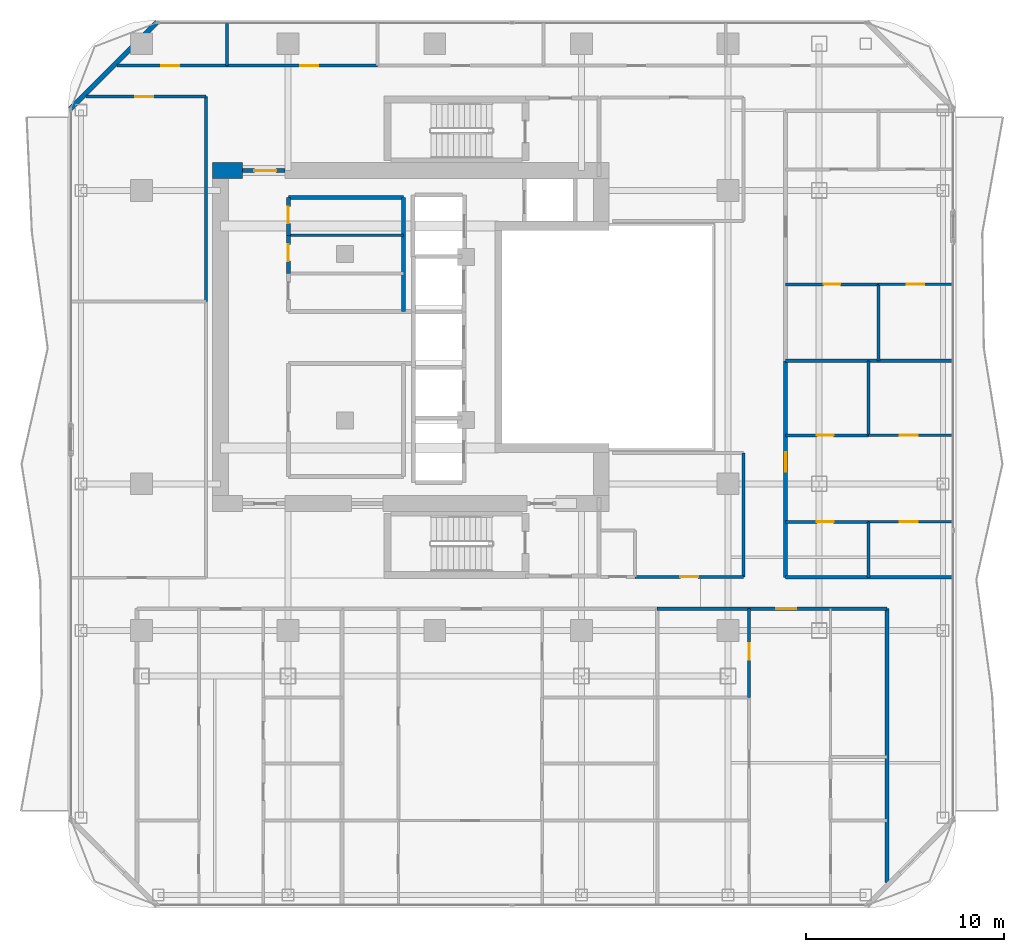
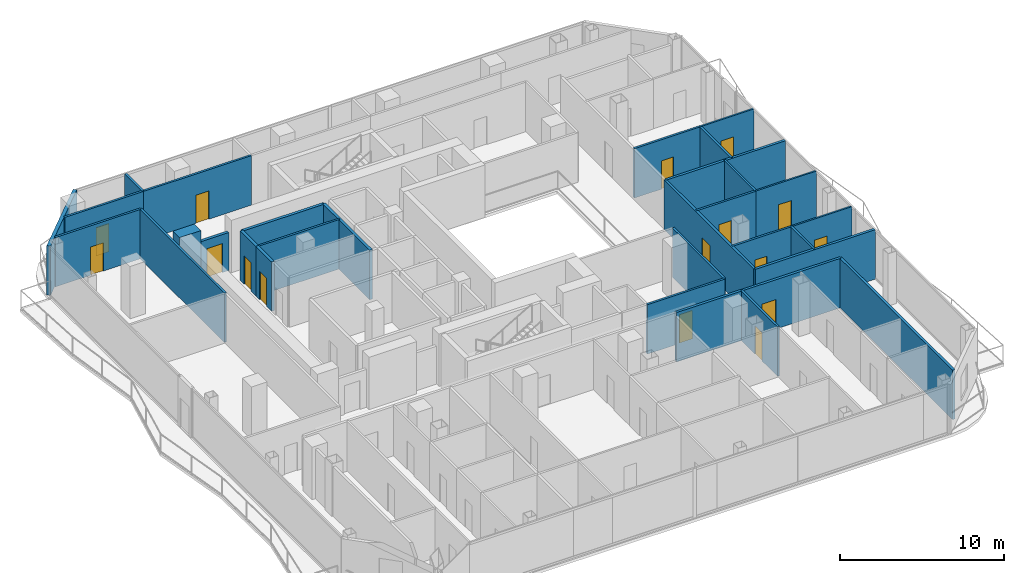
# One storey, part 22 of 27: 30 walls, 16 doors, 16 openings.
"""IFC4 building model written with IfcOpenShell, lengths in metres."""

from ifc_helpers import new_model, si_unit, direction, frame, frame_2d, origin, place, context, subcontext, project, spatial, rectangle, extrude, material, layer, layer_set, type_object, element, fill, save


model = new_model("IFC4")

# Units and contexts
model_context = context("Model", 3, precision=1e-05, world=origin(), true_north=direction((0.0, 1.0)))
body_context = subcontext(model_context, "Body", "Model", "MODEL_VIEW")
ifc_project = project(units=[si_unit("LENGTHUNIT", "METRE"), si_unit("AREAUNIT", "SQUARE_METRE"), si_unit("VOLUMEUNIT", "CUBIC_METRE"), si_unit("PLANEANGLEUNIT", "RADIAN"), si_unit("MASSUNIT", "GRAM", prefix="KILO")], contexts=[model_context])

# Site, building, storey
site_placement = place(None, origin())
site = spatial("IfcSite", under=ifc_project, at=site_placement, CompositionType="ELEMENT")
building_placement = place(site_placement, origin())
building = spatial("IfcBuilding", under=site, at=building_placement, Name="Khorvyn Point Tower", CompositionType="ELEMENT")
storey_placement = place(building_placement, frame((0.0, 0.0, 227.39990234375)))
storey = spatial("IfcBuildingStorey", under=building, at=storey_placement, Name="L56", CompositionType="ELEMENT", Elevation=227.39990234375)

# Wall, opening, door
ifc_material_1 = material(Name="Double acoustic gypsum on twin steel stud", Category="steel")
ifc_layer_1 = layer(ifc_material_1, 0.179931640625)
ifc_layer_set_1 = layer_set([ifc_layer_1], Name="Acoustic Double-Stud Apartment Demising Wall 180")
wall_type_1 = type_object("IfcWallType", Name="Acoustic Double-Stud Apartment Demising Wall 180", PredefinedType="PARTITIONING", material=ifc_layer_set_1)
wall_1_placement = place(storey_placement, frame((11.22802734375, -13.699951171875, 0.0), z_axis=(0.0, 0.0, 1.0), x_axis=(1.0, 0.0, 0.0)))
wall_1 = element("IfcWall", 1, at=wall_1_placement, inside=storey, type_object=wall_type_1, Name="Wall", PredefinedType="PARTITIONING", context=body_context, shape_type="SweptSolid", body=[
    extrude(rectangle(XDim=11.592041015625, YDim=0.179931640625, at=frame_2d((5.7958984375, 0.0))), origin(), (0.0, 0.0, 1.0), 3.68017578125),
])
opening_1_placement = place(wall_1_placement, frame((6.00439453125, 0.0, 0.0)))
opening_1 = element("IfcOpeningElement", 2, at=opening_1_placement, cuts=wall_1, Name="Opening ID-AP60", PredefinedType="OPENING", context=body_context, shape_type="SweptSolid", body=[
    extrude(rectangle(XDim=1.0, YDim=2.199951171875, at=frame_2d((0.5, 1.10009765625))), frame((0.0, 0.099853515625, 0.0), z_axis=(0.0, -1.0, 0.0), x_axis=(1.0, 0.0, 0.0)), (0.0, 0.0, 1.0), 0.199951171875),
])
ifc_material_2 = material(Name="Engineered hardwood fire-rated leaf", Category="wood")
door_type_1 = type_object("IfcDoorType", Name="Acoustic Solid-Core Timber Apartment Entrance Door 1000x2200", OperationType="NOTDEFINED", PredefinedType="DOOR", material=ifc_material_2)
door_1_placement = place(opening_1_placement, origin())
door_1 = element("IfcDoor", 3, at=door_1_placement, inside=storey, type_object=door_type_1, Name="Door", OperationType="SINGLE_SWING_RIGHT", OverallHeight=2.199951171875, OverallWidth=1.0, PredefinedType="DOOR", context=body_context, shape_type="SweptSolid", body=[
    extrude(rectangle(XDim=1.0, YDim=2.199951171875, at=frame_2d((0.5, 1.10009765625))), frame((0.0, 0.02490234375, 0.0), z_axis=(0.0, -1.0, 0.0), x_axis=(1.0, 0.0, 0.0)), (0.0, 0.0, 1.0), 0.050048828125),
])
fill(opening_1, door_1)

wall_2_placement = place(storey_placement, frame((17.699951171875, -12.1201171875, 0.0), z_axis=(0.0, 0.0, 1.0), x_axis=(0.0, 1.0, 0.0)))
wall_2 = element("IfcWall", 4, at=wall_2_placement, inside=storey, type_object=wall_type_1, Name="Wall", PredefinedType="PARTITIONING", context=body_context, shape_type="SweptSolid", body=[
    extrude(rectangle(XDim=10.927001953125, YDim=0.179931640625, at=frame_2d((5.46337890625, 0.0))), origin(), (0.0, 0.0, 1.0), 3.68017578125),
])
opening_2_placement = place(wall_2_placement, frame((5.3193359375, 0.0, 0.0)))
opening_2 = element("IfcOpeningElement", 5, at=opening_2_placement, cuts=wall_2, Name="Opening ID-AP60", PredefinedType="OPENING", context=body_context, shape_type="SweptSolid", body=[
    extrude(rectangle(XDim=1.0, YDim=2.199951171875, at=frame_2d((0.5, 1.10009765625))), frame((0.0, 0.099853515625, 0.0), z_axis=(0.0, -1.0, 0.0), x_axis=(1.0, 0.0, 0.0)), (0.0, 0.0, 1.0), 0.199951171875),
])
door_2_placement = place(opening_2_placement, origin())
door_2 = element("IfcDoor", 6, at=door_2_placement, inside=storey, type_object=door_type_1, Name="Door", OperationType="SINGLE_SWING_LEFT", OverallHeight=2.199951171875, OverallWidth=1.0, PredefinedType="DOOR", context=body_context, shape_type="SweptSolid", body=[
    extrude(rectangle(XDim=1.0, YDim=2.199951171875, at=frame_2d((0.5, 1.10009765625))), frame((0.0, 0.02490234375, 0.0), z_axis=(0.0, -1.0, 0.0), x_axis=(1.0, 0.0, 0.0)), (0.0, 0.0, 1.0), 0.050048828125),
])
fill(opening_2, door_2)

# Walls
wall_3_placement = place(storey_placement, frame((22.820068359375, -27.510009765625, 0.0), z_axis=(0.0, 0.0, 1.0), x_axis=(0.0, 1.0, 0.0)))
element("IfcWall", 7, at=wall_3_placement, inside=storey, type_object=wall_type_1, Name="Wall", PredefinedType="PARTITIONING", context=body_context, shape_type="SweptSolid", body=[
    extrude(rectangle(XDim=13.81005859375, YDim=0.179931640625, at=frame_2d((6.905029296875, 0.0))), origin(), (0.0, 0.0, 1.0), 3.68017578125),
])
for number, where, z_axis, x_axis, name in (
    (8, (17.699951171875, -1.193115234375, 0.0), (0.0, 0.0, 1.0), (1.0, 0.0, 0.0), "Wall"),
    (9, (17.699951171875, -12.1201171875, 0.0), (0.0, 0.0, 1.0), (1.0, 0.0, 0.0), "Wall"),
):
    element("IfcWall", number, at=place(storey_placement, frame(where, z_axis=z_axis, x_axis=x_axis)), inside=storey, type_object=wall_type_1, Name=name, PredefinedType="PARTITIONING", context=body_context, shape_type="SweptSolid", body=[
        extrude(rectangle(XDim=8.429931640625, YDim=0.179931640625, at=frame_2d((4.21484375, 0.0))), origin(), (0.0, 0.0, 1.0), 3.68017578125),
    ])
ifc_material_3 = material(Name="Pale anodised aluminium rainscreen on steel stud", Category="steel")
ifc_layer_2 = layer(ifc_material_3, 0.239990234375)
ifc_layer_set_2 = layer_set([ifc_layer_2], Name="Anodised Aluminium Insulated Corner Spandrel Wall 240")
wall_type_2 = type_object("IfcWallType", Name="Anodised Aluminium Insulated Corner Spandrel Wall 240", PredefinedType="SOLIDWALL", material=ifc_layer_set_2)
wall_4_placement = place(storey_placement, frame((-18.392333984375, 11.507568359375, 0.0), z_axis=(0.0, 0.0, 1.0), x_axis=(0.707106781187, 0.707106781187, 0.0)))
element("IfcWall", 10, at=wall_4_placement, inside=storey, type_object=wall_type_2, Name="L56 Rounded Corner Wall NW", PredefinedType="SOLIDWALL", context=body_context, shape_type="SweptSolid", body=[
    extrude(rectangle(XDim=6.200927734375, YDim=0.239990234375, at=frame_2d((3.1005859375, 0.0))), origin(), (0.0, 0.0, 1.0), 3.68017578125),
])

# Wall, opening, door
ifc_material_4 = material(Name="Concrete C40/50", Category="concrete")
ifc_layer_3 = layer(ifc_material_4, 0.199951171875)
ifc_layer_set_3 = layer_set([ifc_layer_3], Name="Concrete C40/50 Fire-Lobby Compartment Wall 200")
wall_type_3 = type_object("IfcWallType", Name="Concrete C40/50 Fire-Lobby Compartment Wall 200", PredefinedType="SOLIDWALL", material=ifc_layer_set_3)
wall_5_placement = place(storey_placement, frame((-9.699951171875, 8.39990234375, 0.0), z_axis=(0.0, 0.0, 1.0), x_axis=(1.0, 0.0, 0.0)))
wall_5 = element("IfcWall", 11, at=wall_5_placement, inside=storey, type_object=wall_type_3, Name="Wall", PredefinedType="SOLIDWALL", context=body_context, shape_type="SweptSolid", body=[
    extrude(rectangle(XDim=2.14990234375, YDim=0.199951171875, at=frame_2d((1.074951171875, 0.0))), origin(), (0.0, 0.0, 1.0), 2.820068359375),
])
opening_3_placement = place(wall_5_placement, frame((0.597900390625, 0.0, 0.0)))
opening_3 = element("IfcOpeningElement", 12, at=opening_3_placement, cuts=wall_5, Name="Opening ID-FL90", PredefinedType="OPENING", context=body_context, shape_type="SweptSolid", body=[
    extrude(rectangle(XDim=1.10009765625, YDim=2.14990234375, at=frame_2d((0.550048828125, 1.074951171875))), frame((0.0, 0.10986328125, 0.0), z_axis=(0.0, -1.0, 0.0), x_axis=(1.0, 0.0, 0.0)), (0.0, 0.0, 1.0), 0.219970703125),
])
ifc_material_5 = material(Name="Galvanised powder-coated steel", Category="steel")
door_type_2 = type_object("IfcDoorType", Name="Fire-Rated Steel Lobby and Stair Door 1100x2150", OperationType="NOTDEFINED", PredefinedType="DOOR", material=ifc_material_5)
door_3_placement = place(opening_3_placement, origin())
door_3 = element("IfcDoor", 13, at=door_3_placement, inside=storey, type_object=door_type_2, Name="Door", OperationType="SINGLE_SWING_RIGHT", OverallHeight=2.14990234375, OverallWidth=1.10009765625, PredefinedType="DOOR", context=body_context, shape_type="SweptSolid", body=[
    extrude(rectangle(XDim=1.10009765625, YDim=2.14990234375, at=frame_2d((0.550048828125, 1.074951171875))), frame((0.0, 0.02490234375, 0.0), z_axis=(0.0, -1.0, 0.0), x_axis=(1.0, 0.0, 0.0)), (0.0, 0.0, 1.0), 0.050048828125),
])
fill(opening_3, door_3)

wall_6_placement = place(storey_placement, frame((-7.3798828125, 3.219970703125, 0.0), z_axis=(0.0, 0.0, 1.0), x_axis=(0.0, 1.0, 0.0)))
wall_6 = element("IfcWall", 14, at=wall_6_placement, inside=storey, type_object=wall_type_3, Name="Wall", PredefinedType="SOLIDWALL", context=body_context, shape_type="SweptSolid", body=[
    extrude(rectangle(XDim=1.919921875, YDim=0.199951171875, at=frame_2d((0.9599609375, 0.0))), origin(), (0.0, 0.0, 1.0), 3.68017578125),
])
opening_4_placement = place(wall_6_placement, frame((0.610107421875, 0.0, 0.0)))
opening_4 = element("IfcOpeningElement", 15, at=opening_4_placement, cuts=wall_6, Name="Opening ID-WC85", PredefinedType="OPENING", context=body_context, shape_type="SweptSolid", body=[
    extrude(rectangle(XDim=0.85009765625, YDim=2.10009765625, at=frame_2d((0.425048828125, 1.050048828125))), frame((0.0, 0.10986328125, 0.0), z_axis=(0.0, -1.0, 0.0), x_axis=(1.0, 0.0, 0.0)), (0.0, 0.0, 1.0), 0.219970703125),
])
ifc_material_6 = material(Name="High-pressure laminate on moisture-resistant core", Category="wood")
door_type_3 = type_object("IfcDoorType", Name="Moisture-Resistant Accessible Washroom Door 850x2100", OperationType="NOTDEFINED", PredefinedType="DOOR", material=ifc_material_6)
door_4_placement = place(opening_4_placement, origin())
door_4 = element("IfcDoor", 16, at=door_4_placement, inside=storey, type_object=door_type_3, Name="Door", OperationType="SINGLE_SWING_LEFT", OverallHeight=2.10009765625, OverallWidth=0.85009765625, PredefinedType="DOOR", context=body_context, shape_type="SweptSolid", body=[
    extrude(rectangle(XDim=0.85009765625, YDim=2.10009765625, at=frame_2d((0.425048828125, 1.050048828125))), frame((0.0, 0.02490234375, 0.0), z_axis=(0.0, -1.0, 0.0), x_axis=(1.0, 0.0, 0.0)), (0.0, 0.0, 1.0), 0.050048828125),
])
fill(opening_4, door_4)

wall_7_placement = place(storey_placement, frame((-7.3798828125, 5.139892578125, 0.0), z_axis=(0.0, 0.0, 1.0), x_axis=(0.0, 1.0, 0.0)))
wall_7 = element("IfcWall", 17, at=wall_7_placement, inside=storey, type_object=wall_type_3, Name="Wall", PredefinedType="SOLIDWALL", context=body_context, shape_type="SweptSolid", body=[
    extrude(rectangle(XDim=1.900146484375, YDim=0.199951171875, at=frame_2d((0.9501953125, 0.0))), origin(), (0.0, 0.0, 1.0), 3.68017578125),
])
opening_5_placement = place(wall_7_placement, frame((0.597900390625, 0.0, 0.0)))
opening_5 = element("IfcOpeningElement", 18, at=opening_5_placement, cuts=wall_7, Name="Opening ID-WC85", PredefinedType="OPENING", context=body_context, shape_type="SweptSolid", body=[
    extrude(rectangle(XDim=0.85009765625, YDim=2.10009765625, at=frame_2d((0.425048828125, 1.050048828125))), frame((0.0, 0.10986328125, 0.0), z_axis=(0.0, -1.0, 0.0), x_axis=(1.0, 0.0, 0.0)), (0.0, 0.0, 1.0), 0.219970703125),
])
door_5_placement = place(opening_5_placement, origin())
door_5 = element("IfcDoor", 19, at=door_5_placement, inside=storey, type_object=door_type_3, Name="Door", OperationType="SINGLE_SWING_RIGHT", OverallHeight=2.10009765625, OverallWidth=0.85009765625, PredefinedType="DOOR", context=body_context, shape_type="SweptSolid", body=[
    extrude(rectangle(XDim=0.85009765625, YDim=2.10009765625, at=frame_2d((0.425048828125, 1.050048828125))), frame((0.0, 0.02490234375, 0.0), z_axis=(0.0, -1.0, 0.0), x_axis=(1.0, 0.0, 0.0)), (0.0, 0.0, 1.0), 0.050048828125),
])
fill(opening_5, door_5)

# Walls
wall_8_placement = place(storey_placement, frame((-1.580078125, 1.300048828125, 0.0), z_axis=(0.0, 0.0, 1.0), x_axis=(0.0, 1.0, 0.0)))
element("IfcWall", 20, at=wall_8_placement, inside=storey, type_object=wall_type_3, Name="Wall", PredefinedType="SOLIDWALL", context=body_context, shape_type="SweptSolid", body=[
    extrude(rectangle(XDim=5.739990234375, YDim=0.199951171875, at=frame_2d((2.8701171875, 0.0))), origin(), (0.0, 0.0, 1.0), 3.68017578125),
])
wall_9_placement = place(storey_placement, frame((-7.3798828125, 7.0400390625, 0.0), z_axis=(0.0, 0.0, 1.0), x_axis=(1.0, 0.0, 0.0)))
element("IfcWall", 21, at=wall_9_placement, inside=storey, type_object=wall_type_3, Name="Wall", PredefinedType="SOLIDWALL", context=body_context, shape_type="SweptSolid", body=[
    extrude(rectangle(XDim=5.7998046875, YDim=0.199951171875, at=frame_2d((2.89990234375, 0.0))), origin(), (0.0, 0.0, 1.0), 3.68017578125),
])
ifc_material_7 = material(Name="Concrete C45/55", Category="concrete")
ifc_layer_4 = layer(ifc_material_7, 0.800048828125)
ifc_layer_set_4 = layer_set([ifc_layer_4], Name="Concrete C45/55 Core Shear Wall 800")
wall_type_4 = type_object("IfcWallType", Name="Concrete C45/55 Core Shear Wall 800", PredefinedType="SHEAR", material=ifc_layer_set_4)
wall_10_placement = place(storey_placement, frame((-11.199951171875, 8.39990234375, 0.0), z_axis=(0.0, 0.0, 1.0), x_axis=(1.0, 0.0, 0.0)))
element("IfcWall", 22, at=wall_10_placement, inside=storey, type_object=wall_type_4, Name="Wall", PredefinedType="SHEAR", context=body_context, shape_type="SweptSolid", body=[
    extrude(rectangle(XDim=1.5, YDim=0.800048828125, at=frame_2d((0.75, 0.0))), origin(), (0.0, 0.0, 1.0), 3.900146484375),
])

# Wall, opening, door
ifc_material_8 = material(Name="Gypsum plasterboard on steel stud", Category="steel")
ifc_layer_5 = layer(ifc_material_8, 0.1201171875)
ifc_layer_set_5 = layer_set([ifc_layer_5], Name="Gypsum Acoustic Stud Room Partition Wall 120")
wall_type_5 = type_object("IfcWallType", Name="Gypsum Acoustic Stud Room Partition Wall 120", PredefinedType="PARTITIONING", material=ifc_layer_set_5)
wall_11_placement = place(storey_placement, frame((21.889892578125, -9.320068359375, 0.0), z_axis=(0.0, 0.0, 1.0), x_axis=(1.0, 0.0, 0.0)))
wall_11 = element("IfcWall", 23, at=wall_11_placement, inside=storey, type_object=wall_type_5, Name="Wall", PredefinedType="PARTITIONING", context=body_context, shape_type="SweptSolid", body=[
    extrude(rectangle(XDim=4.239990234375, YDim=0.1201171875, at=frame_2d((2.1201171875, 0.0))), origin(), (0.0, 0.0, 1.0), 3.68017578125),
])
opening_6_placement = place(wall_11_placement, frame((1.581298828125, 0.0, 0.0)))
opening_6 = element("IfcOpeningElement", 24, at=opening_6_placement, cuts=wall_11, Name="Opening ID-RM90", PredefinedType="OPENING", context=body_context, shape_type="SweptSolid", body=[
    extrude(rectangle(XDim=0.89990234375, YDim=2.10009765625, at=frame_2d((0.449951171875, 1.050048828125))), frame((0.0, 0.070068359375, 0.0), z_axis=(0.0, -1.0, 0.0), x_axis=(1.0, 0.0, 0.0)), (0.0, 0.0, 1.0), 0.14013671875),
])
ifc_material_9 = material(Name="Engineered oak veneer timber", Category="wood")
door_type_4 = type_object("IfcDoorType", Name="Flush Engineered Timber Room Door 900x2100", OperationType="NOTDEFINED", PredefinedType="DOOR", material=ifc_material_9)
door_6_placement = place(opening_6_placement, origin())
door_6 = element("IfcDoor", 25, at=door_6_placement, inside=storey, type_object=door_type_4, Name="Door", OperationType="SINGLE_SWING_RIGHT", OverallHeight=2.10009765625, OverallWidth=0.89990234375, PredefinedType="DOOR", context=body_context, shape_type="SweptSolid", body=[
    extrude(rectangle(XDim=0.89990234375, YDim=2.10009765625, at=frame_2d((0.449951171875, 1.050048828125))), frame((0.0, 0.02490234375, 0.0), z_axis=(0.0, -1.0, 0.0), x_axis=(1.0, 0.0, 0.0)), (0.0, 0.0, 1.0), 0.050048828125),
])
fill(opening_6, door_6)

wall_12_placement = place(storey_placement, frame((21.889892578125, -4.95703125, 0.0), z_axis=(0.0, 0.0, 1.0), x_axis=(1.0, 0.0, 0.0)))
wall_12 = element("IfcWall", 26, at=wall_12_placement, inside=storey, type_object=wall_type_5, Name="Wall", PredefinedType="PARTITIONING", context=body_context, shape_type="SweptSolid", body=[
    extrude(rectangle(XDim=4.239990234375, YDim=0.1201171875, at=frame_2d((2.1201171875, 0.0))), origin(), (0.0, 0.0, 1.0), 3.68017578125),
])
opening_7_placement = place(wall_12_placement, frame((1.581298828125, 0.0, 0.0)))
opening_7 = element("IfcOpeningElement", 27, at=opening_7_placement, cuts=wall_12, Name="Opening ID-RM90", PredefinedType="OPENING", context=body_context, shape_type="SweptSolid", body=[
    extrude(rectangle(XDim=0.89990234375, YDim=2.10009765625, at=frame_2d((0.449951171875, 1.050048828125))), frame((0.0, 0.070068359375, 0.0), z_axis=(0.0, -1.0, 0.0), x_axis=(1.0, 0.0, 0.0)), (0.0, 0.0, 1.0), 0.14013671875),
])
door_7_placement = place(opening_7_placement, origin())
door_7 = element("IfcDoor", 28, at=door_7_placement, inside=storey, type_object=door_type_4, Name="Door", OperationType="SINGLE_SWING_LEFT", OverallHeight=2.10009765625, OverallWidth=0.89990234375, PredefinedType="DOOR", context=body_context, shape_type="SweptSolid", body=[
    extrude(rectangle(XDim=0.89990234375, YDim=2.10009765625, at=frame_2d((0.449951171875, 1.050048828125))), frame((0.0, 0.02490234375, 0.0), z_axis=(0.0, -1.0, 0.0), x_axis=(1.0, 0.0, 0.0)), (0.0, 0.0, 1.0), 0.050048828125),
])
fill(opening_7, door_7)

wall_13_placement = place(storey_placement, frame((22.39306640625, 2.6630859375, 0.0), z_axis=(0.0, 0.0, 1.0), x_axis=(1.0, 0.0, 0.0)))
wall_13 = element("IfcWall", 29, at=wall_13_placement, inside=storey, type_object=wall_type_5, Name="Wall", PredefinedType="PARTITIONING", context=body_context, shape_type="SweptSolid", body=[
    extrude(rectangle(XDim=3.73681640625, YDim=0.1201171875, at=frame_2d((1.868408203125, 0.0))), origin(), (0.0, 0.0, 1.0), 3.68017578125),
])
opening_8_placement = place(wall_13_placement, frame((1.41845703125, 0.0, 0.0)))
opening_8 = element("IfcOpeningElement", 30, at=opening_8_placement, cuts=wall_13, Name="Opening ID-RM90", PredefinedType="OPENING", context=body_context, shape_type="SweptSolid", body=[
    extrude(rectangle(XDim=0.89990234375, YDim=2.10009765625, at=frame_2d((0.449951171875, 1.050048828125))), frame((0.0, 0.070068359375, 0.0), z_axis=(0.0, -1.0, 0.0), x_axis=(1.0, 0.0, 0.0)), (0.0, 0.0, 1.0), 0.14013671875),
])
door_8_placement = place(opening_8_placement, origin())
door_8 = element("IfcDoor", 31, at=door_8_placement, inside=storey, type_object=door_type_4, Name="Door", OperationType="SINGLE_SWING_LEFT", OverallHeight=2.10009765625, OverallWidth=0.89990234375, PredefinedType="DOOR", context=body_context, shape_type="SweptSolid", body=[
    extrude(rectangle(XDim=0.89990234375, YDim=2.10009765625, at=frame_2d((0.449951171875, 1.050048828125))), frame((0.0, 0.02490234375, 0.0), z_axis=(0.0, -1.0, 0.0), x_axis=(1.0, 0.0, 0.0)), (0.0, 0.0, 1.0), 0.050048828125),
])
fill(opening_8, door_8)

ifc_material_10 = material(Name="Moisture-resistant gypsum and cement board", Category="gypsum")
ifc_layer_6 = layer(ifc_material_10, 0.14990234375)
ifc_layer_set_6 = layer_set([ifc_layer_6], Name="Moisture-Resistant Wet-Room Partition Wall 150")
wall_type_6 = type_object("IfcWallType", Name="Moisture-Resistant Wet-Room Partition Wall 150", PredefinedType="PARTITIONING", material=ifc_layer_set_6)
wall_14_placement = place(storey_placement, frame((10.10009765625, -12.10009765625, 0.0), z_axis=(0.0, 0.0, 1.0), x_axis=(1.0, 0.0, 0.0)))
wall_14 = element("IfcWall", 32, at=wall_14_placement, inside=storey, type_object=wall_type_6, Name="Wall", PredefinedType="PARTITIONING", context=body_context, shape_type="SweptSolid", body=[
    extrude(rectangle(XDim=5.47998046875, YDim=0.14990234375, at=frame_2d((2.739990234375, 0.0))), origin(), (0.0, 0.0, 1.0), 3.68017578125),
])
opening_9_placement = place(wall_14_placement, frame((2.2900390625, 0.0, 0.0)))
opening_9 = element("IfcOpeningElement", 33, at=opening_9_placement, cuts=wall_14, Name="Opening ID-RM90", PredefinedType="OPENING", context=body_context, shape_type="SweptSolid", body=[
    extrude(rectangle(XDim=0.89990234375, YDim=2.10009765625, at=frame_2d((0.449951171875, 1.050048828125))), frame((0.0, 0.0849609375, 0.0), z_axis=(0.0, -1.0, 0.0), x_axis=(1.0, 0.0, 0.0)), (0.0, 0.0, 1.0), 0.169921875),
])
door_9_placement = place(opening_9_placement, origin())
door_9 = element("IfcDoor", 34, at=door_9_placement, inside=storey, type_object=door_type_4, Name="Door", OperationType="SINGLE_SWING_RIGHT", OverallHeight=2.10009765625, OverallWidth=0.89990234375, PredefinedType="DOOR", context=body_context, shape_type="SweptSolid", body=[
    extrude(rectangle(XDim=0.89990234375, YDim=2.10009765625, at=frame_2d((0.449951171875, 1.050048828125))), frame((0.0, 0.02490234375, 0.0), z_axis=(0.0, -1.0, 0.0), x_axis=(1.0, 0.0, 0.0)), (0.0, 0.0, 1.0), 0.050048828125),
])
fill(opening_9, door_9)

wall_15_placement = place(storey_placement, frame((-16.030029296875, 13.699951171875, 0.0), z_axis=(0.0, 0.0, 1.0), x_axis=(1.0, 0.0, 0.0)))
wall_15 = element("IfcWall", 35, at=wall_15_placement, inside=storey, type_object=wall_type_6, Name="Wall", PredefinedType="PARTITIONING", context=body_context, shape_type="SweptSolid", body=[
    extrude(rectangle(XDim=5.552001953125, YDim=0.14990234375, at=frame_2d((2.77587890625, 0.0))), origin(), (0.0, 0.0, 1.0), 3.68017578125),
])
opening_10_placement = place(wall_15_placement, frame((2.239501953125, 0.0, 0.0)))
opening_10 = element("IfcOpeningElement", 36, at=opening_10_placement, cuts=wall_15, Name="Opening ID-RM90", PredefinedType="OPENING", context=body_context, shape_type="SweptSolid", body=[
    extrude(rectangle(XDim=0.89990234375, YDim=2.10009765625, at=frame_2d((0.449951171875, 1.050048828125))), frame((0.0, 0.0849609375, 0.0), z_axis=(0.0, -1.0, 0.0), x_axis=(1.0, 0.0, 0.0)), (0.0, 0.0, 1.0), 0.169921875),
])
door_10_placement = place(opening_10_placement, origin())
door_10 = element("IfcDoor", 37, at=door_10_placement, inside=storey, type_object=door_type_4, Name="Door", OperationType="SINGLE_SWING_RIGHT", OverallHeight=2.10009765625, OverallWidth=0.89990234375, PredefinedType="DOOR", context=body_context, shape_type="SweptSolid", body=[
    extrude(rectangle(XDim=0.89990234375, YDim=2.10009765625, at=frame_2d((0.449951171875, 1.050048828125))), frame((0.0, 0.02490234375, 0.0), z_axis=(0.0, -1.0, 0.0), x_axis=(1.0, 0.0, 0.0)), (0.0, 0.0, 1.0), 0.050048828125),
])
fill(opening_10, door_10)

wall_16_placement = place(storey_placement, frame((-10.47802734375, 13.699951171875, 0.0), z_axis=(0.0, 0.0, 1.0), x_axis=(1.0, 0.0, 0.0)))
wall_16 = element("IfcWall", 38, at=wall_16_placement, inside=storey, type_object=wall_type_6, Name="Wall", PredefinedType="PARTITIONING", context=body_context, shape_type="SweptSolid", body=[
    extrude(rectangle(XDim=7.589111328125, YDim=0.14990234375, at=frame_2d((3.79443359375, 0.0))), origin(), (0.0, 0.0, 1.0), 3.68017578125),
])
opening_11_placement = place(wall_16_placement, frame((3.6982421875, 0.0, 0.0)))
opening_11 = element("IfcOpeningElement", 39, at=opening_11_placement, cuts=wall_16, Name="Opening ID-RM90", PredefinedType="OPENING", context=body_context, shape_type="SweptSolid", body=[
    extrude(rectangle(XDim=0.89990234375, YDim=2.10009765625, at=frame_2d((0.449951171875, 1.050048828125))), frame((0.0, 0.0849609375, 0.0), z_axis=(0.0, -1.0, 0.0), x_axis=(1.0, 0.0, 0.0)), (0.0, 0.0, 1.0), 0.169921875),
])
door_11_placement = place(opening_11_placement, origin())
door_11 = element("IfcDoor", 40, at=door_11_placement, inside=storey, type_object=door_type_4, Name="Door", OperationType="SINGLE_SWING_LEFT", OverallHeight=2.10009765625, OverallWidth=0.89990234375, PredefinedType="DOOR", context=body_context, shape_type="SweptSolid", body=[
    extrude(rectangle(XDim=0.89990234375, YDim=2.10009765625, at=frame_2d((0.449951171875, 1.050048828125))), frame((0.0, 0.02490234375, 0.0), z_axis=(0.0, -1.0, 0.0), x_axis=(1.0, 0.0, 0.0)), (0.0, 0.0, 1.0), 0.050048828125),
])
fill(opening_11, door_11)

wall_17_placement = place(storey_placement, frame((15.864990234375, -18.18994140625, 0.0), z_axis=(0.0, 0.0, 1.0), x_axis=(0.0, 1.0, 0.0)))
wall_17 = element("IfcWall", 41, at=wall_17_placement, inside=storey, type_object=wall_type_6, Name="Wall", PredefinedType="PARTITIONING", context=body_context, shape_type="SweptSolid", body=[
    extrude(rectangle(XDim=4.489990234375, YDim=0.14990234375, at=frame_2d((2.2451171875, 0.0))), origin(), (0.0, 0.0, 1.0), 3.68017578125),
])
opening_12_placement = place(wall_17_placement, frame((1.907470703125, 0.0, 0.0)))
opening_12 = element("IfcOpeningElement", 42, at=opening_12_placement, cuts=wall_17, Name="Opening ID-WC85", PredefinedType="OPENING", context=body_context, shape_type="SweptSolid", body=[
    extrude(rectangle(XDim=0.85009765625, YDim=2.10009765625, at=frame_2d((0.425048828125, 1.050048828125))), frame((0.0, 0.0849609375, 0.0), z_axis=(0.0, -1.0, 0.0), x_axis=(1.0, 0.0, 0.0)), (0.0, 0.0, 1.0), 0.169921875),
])
door_12_placement = place(opening_12_placement, origin())
door_12 = element("IfcDoor", 43, at=door_12_placement, inside=storey, type_object=door_type_3, Name="Door", OperationType="SINGLE_SWING_RIGHT", OverallHeight=2.10009765625, OverallWidth=0.85009765625, PredefinedType="DOOR", context=body_context, shape_type="SweptSolid", body=[
    extrude(rectangle(XDim=0.85009765625, YDim=2.10009765625, at=frame_2d((0.425048828125, 1.050048828125))), frame((0.0, 0.02490234375, 0.0), z_axis=(0.0, -1.0, 0.0), x_axis=(1.0, 0.0, 0.0)), (0.0, 0.0, 1.0), 0.050048828125),
])
fill(opening_12, door_12)

wall_18_placement = place(storey_placement, frame((-17.590087890625, 12.139892578125, 0.0), z_axis=(0.0, 0.0, 1.0), x_axis=(1.0, 0.0, 0.0)))
wall_18 = element("IfcWall", 44, at=wall_18_placement, inside=storey, type_object=wall_type_6, Name="Wall", PredefinedType="PARTITIONING", context=body_context, shape_type="SweptSolid", body=[
    extrude(rectangle(XDim=6.0400390625, YDim=0.14990234375, at=frame_2d((3.02001953125, 0.0))), origin(), (0.0, 0.0, 1.0), 3.68017578125),
])
opening_13_placement = place(wall_18_placement, frame((2.480712890625, 0.0, 0.0)))
opening_13 = element("IfcOpeningElement", 45, at=opening_13_placement, cuts=wall_18, Name="Opening ID-RM90", PredefinedType="OPENING", context=body_context, shape_type="SweptSolid", body=[
    extrude(rectangle(XDim=0.89990234375, YDim=2.10009765625, at=frame_2d((0.449951171875, 1.050048828125))), frame((0.0, 0.0849609375, 0.0), z_axis=(0.0, -1.0, 0.0), x_axis=(1.0, 0.0, 0.0)), (0.0, 0.0, 1.0), 0.169921875),
])
door_13_placement = place(opening_13_placement, origin())
door_13 = element("IfcDoor", 46, at=door_13_placement, inside=storey, type_object=door_type_4, Name="Door", OperationType="SINGLE_SWING_RIGHT", OverallHeight=2.10009765625, OverallWidth=0.89990234375, PredefinedType="DOOR", context=body_context, shape_type="SweptSolid", body=[
    extrude(rectangle(XDim=0.89990234375, YDim=2.10009765625, at=frame_2d((0.449951171875, 1.050048828125))), frame((0.0, 0.02490234375, 0.0), z_axis=(0.0, -1.0, 0.0), x_axis=(1.0, 0.0, 0.0)), (0.0, 0.0, 1.0), 0.050048828125),
])
fill(opening_13, door_13)

wall_19_placement = place(storey_placement, frame((17.699951171875, -4.95703125, 0.0), z_axis=(0.0, 0.0, 1.0), x_axis=(1.0, 0.0, 0.0)))
wall_19 = element("IfcWall", 47, at=wall_19_placement, inside=storey, type_object=wall_type_6, Name="Wall", PredefinedType="PARTITIONING", context=body_context, shape_type="SweptSolid", body=[
    extrude(rectangle(XDim=4.18994140625, YDim=0.14990234375, at=frame_2d((2.094970703125, 0.0))), origin(), (0.0, 0.0, 1.0), 3.68017578125),
])
opening_14_placement = place(wall_19_placement, frame((1.581298828125, 0.0, 0.0)))
opening_14 = element("IfcOpeningElement", 48, at=opening_14_placement, cuts=wall_19, Name="Opening ID-WC85", PredefinedType="OPENING", context=body_context, shape_type="SweptSolid", body=[
    extrude(rectangle(XDim=0.85009765625, YDim=2.10009765625, at=frame_2d((0.425048828125, 1.050048828125))), frame((0.0, 0.0849609375, 0.0), z_axis=(0.0, -1.0, 0.0), x_axis=(1.0, 0.0, 0.0)), (0.0, 0.0, 1.0), 0.169921875),
])
door_14_placement = place(opening_14_placement, origin())
door_14 = element("IfcDoor", 49, at=door_14_placement, inside=storey, type_object=door_type_3, Name="Door", OperationType="SINGLE_SWING_RIGHT", OverallHeight=2.10009765625, OverallWidth=0.85009765625, PredefinedType="DOOR", context=body_context, shape_type="SweptSolid", body=[
    extrude(rectangle(XDim=0.85009765625, YDim=2.10009765625, at=frame_2d((0.425048828125, 1.050048828125))), frame((0.0, 0.02490234375, 0.0), z_axis=(0.0, -1.0, 0.0), x_axis=(1.0, 0.0, 0.0)), (0.0, 0.0, 1.0), 0.050048828125),
])
fill(opening_14, door_14)

wall_20_placement = place(storey_placement, frame((17.699951171875, -9.320068359375, 0.0), z_axis=(0.0, 0.0, 1.0), x_axis=(1.0, 0.0, 0.0)))
wall_20 = element("IfcWall", 50, at=wall_20_placement, inside=storey, type_object=wall_type_6, Name="Wall", PredefinedType="PARTITIONING", context=body_context, shape_type="SweptSolid", body=[
    extrude(rectangle(XDim=4.18994140625, YDim=0.14990234375, at=frame_2d((2.094970703125, 0.0))), origin(), (0.0, 0.0, 1.0), 3.68017578125),
])
opening_15_placement = place(wall_20_placement, frame((1.581298828125, 0.0, 0.0)))
opening_15 = element("IfcOpeningElement", 51, at=opening_15_placement, cuts=wall_20, Name="Opening ID-WC85", PredefinedType="OPENING", context=body_context, shape_type="SweptSolid", body=[
    extrude(rectangle(XDim=0.85009765625, YDim=2.10009765625, at=frame_2d((0.425048828125, 1.050048828125))), frame((0.0, 0.0849609375, 0.0), z_axis=(0.0, -1.0, 0.0), x_axis=(1.0, 0.0, 0.0)), (0.0, 0.0, 1.0), 0.169921875),
])
door_15_placement = place(opening_15_placement, origin())
door_15 = element("IfcDoor", 52, at=door_15_placement, inside=storey, type_object=door_type_3, Name="Door", OperationType="SINGLE_SWING_LEFT", OverallHeight=2.10009765625, OverallWidth=0.85009765625, PredefinedType="DOOR", context=body_context, shape_type="SweptSolid", body=[
    extrude(rectangle(XDim=0.85009765625, YDim=2.10009765625, at=frame_2d((0.425048828125, 1.050048828125))), frame((0.0, 0.02490234375, 0.0), z_axis=(0.0, -1.0, 0.0), x_axis=(1.0, 0.0, 0.0)), (0.0, 0.0, 1.0), 0.050048828125),
])
fill(opening_15, door_15)

wall_21_placement = place(storey_placement, frame((17.699951171875, 2.6630859375, 0.0), z_axis=(0.0, 0.0, 1.0), x_axis=(1.0, 0.0, 0.0)))
wall_21 = element("IfcWall", 53, at=wall_21_placement, inside=storey, type_object=wall_type_6, Name="Wall", PredefinedType="PARTITIONING", context=body_context, shape_type="SweptSolid", body=[
    extrude(rectangle(XDim=4.693115234375, YDim=0.14990234375, at=frame_2d((2.3466796875, 0.0))), origin(), (0.0, 0.0, 1.0), 3.68017578125),
])
opening_16_placement = place(wall_21_placement, frame((1.92138671875, 0.0, 0.0)))
opening_16 = element("IfcOpeningElement", 54, at=opening_16_placement, cuts=wall_21, Name="Opening ID-WC85", PredefinedType="OPENING", context=body_context, shape_type="SweptSolid", body=[
    extrude(rectangle(XDim=0.85009765625, YDim=2.10009765625, at=frame_2d((0.425048828125, 1.050048828125))), frame((0.0, 0.0849609375, 0.0), z_axis=(0.0, -1.0, 0.0), x_axis=(1.0, 0.0, 0.0)), (0.0, 0.0, 1.0), 0.169921875),
])
door_16_placement = place(opening_16_placement, origin())
door_16 = element("IfcDoor", 55, at=door_16_placement, inside=storey, type_object=door_type_3, Name="Door", OperationType="SINGLE_SWING_RIGHT", OverallHeight=2.10009765625, OverallWidth=0.85009765625, PredefinedType="DOOR", context=body_context, shape_type="SweptSolid", body=[
    extrude(rectangle(XDim=0.85009765625, YDim=2.10009765625, at=frame_2d((0.425048828125, 1.050048828125))), frame((0.0, 0.02490234375, 0.0), z_axis=(0.0, -1.0, 0.0), x_axis=(1.0, 0.0, 0.0)), (0.0, 0.0, 1.0), 0.050048828125),
])
fill(opening_16, door_16)

# Walls
wall_22_placement = place(storey_placement, frame((-7.3798828125, 5.139892578125, 0.0), z_axis=(0.0, 0.0, 1.0), x_axis=(1.0, 0.0, 0.0)))
element("IfcWall", 56, at=wall_22_placement, inside=storey, type_object=wall_type_6, Name="Wall", PredefinedType="PARTITIONING", context=body_context, shape_type="SweptSolid", body=[
    extrude(rectangle(XDim=5.7998046875, YDim=0.14990234375, at=frame_2d((2.89990234375, 0.0))), origin(), (0.0, 0.0, 1.0), 3.68017578125),
])
wall_23_placement = place(storey_placement, frame((15.580078125, -12.10009765625, 0.0), z_axis=(0.0, 0.0, 1.0), x_axis=(0.0, 1.0, 0.0)))
element("IfcWall", 57, at=wall_23_placement, inside=storey, type_object=wall_type_6, Name="Wall", PredefinedType="PARTITIONING", context=body_context, shape_type="SweptSolid", body=[
    extrude(rectangle(XDim=6.25, YDim=0.14990234375, at=frame_2d((3.125, 0.0))), origin(), (0.0, 0.0, 1.0), 3.68017578125),
])
wall_24_placement = place(storey_placement, frame((-10.47802734375, 13.699951171875, 0.0), z_axis=(0.0, 0.0, 1.0), x_axis=(0.0, 1.0, 0.0)))
element("IfcWall", 58, at=wall_24_placement, inside=storey, type_object=wall_type_6, Name="Wall", PredefinedType="PARTITIONING", context=body_context, shape_type="SweptSolid", body=[
    extrude(rectangle(XDim=2.130126953125, YDim=0.14990234375, at=frame_2d((1.06494140625, 0.0))), origin(), (0.0, 0.0, 1.0), 3.68017578125),
])
wall_25_placement = place(storey_placement, frame((-11.550048828125, 1.800048828125, 0.0), z_axis=(0.0, 0.0, 1.0), x_axis=(0.0, 1.0, 0.0)))
element("IfcWall", 59, at=wall_25_placement, inside=storey, type_object=wall_type_6, Name="Wall", PredefinedType="PARTITIONING", context=body_context, shape_type="SweptSolid", body=[
    extrude(rectangle(XDim=10.33984375, YDim=0.14990234375, at=frame_2d((5.169921875, 0.0))), origin(), (0.0, 0.0, 1.0), 3.68017578125),
])
wall_26_placement = place(storey_placement, frame((21.889892578125, -12.1201171875, 0.0), z_axis=(0.0, 0.0, 1.0), x_axis=(0.0, 1.0, 0.0)))
element("IfcWall", 60, at=wall_26_placement, inside=storey, type_object=wall_type_6, Name="Wall", PredefinedType="PARTITIONING", context=body_context, shape_type="SweptSolid", body=[
    extrude(rectangle(XDim=2.800048828125, YDim=0.14990234375, at=frame_2d((1.39990234375, 0.0))), origin(), (0.0, 0.0, 1.0), 3.68017578125),
])
wall_27_placement = place(storey_placement, frame((21.889892578125, -4.95703125, 0.0), z_axis=(0.0, 0.0, 1.0), x_axis=(0.0, 1.0, 0.0)))
element("IfcWall", 61, at=wall_27_placement, inside=storey, type_object=wall_type_6, Name="Wall", PredefinedType="PARTITIONING", context=body_context, shape_type="SweptSolid", body=[
    extrude(rectangle(XDim=3.763916015625, YDim=0.14990234375, at=frame_2d((1.8818359375, 0.0))), origin(), (0.0, 0.0, 1.0), 3.68017578125),
])
wall_28_placement = place(storey_placement, frame((22.39306640625, -1.193115234375, 0.0), z_axis=(0.0, 0.0, 1.0), x_axis=(0.0, 1.0, 0.0)))
element("IfcWall", 62, at=wall_28_placement, inside=storey, type_object=wall_type_6, Name="Wall", PredefinedType="PARTITIONING", context=body_context, shape_type="SweptSolid", body=[
    extrude(rectangle(XDim=3.856201171875, YDim=0.14990234375, at=frame_2d((1.92822265625, 0.0))), origin(), (0.0, 0.0, 1.0), 3.68017578125),
])

save(model, "model.ifc")
